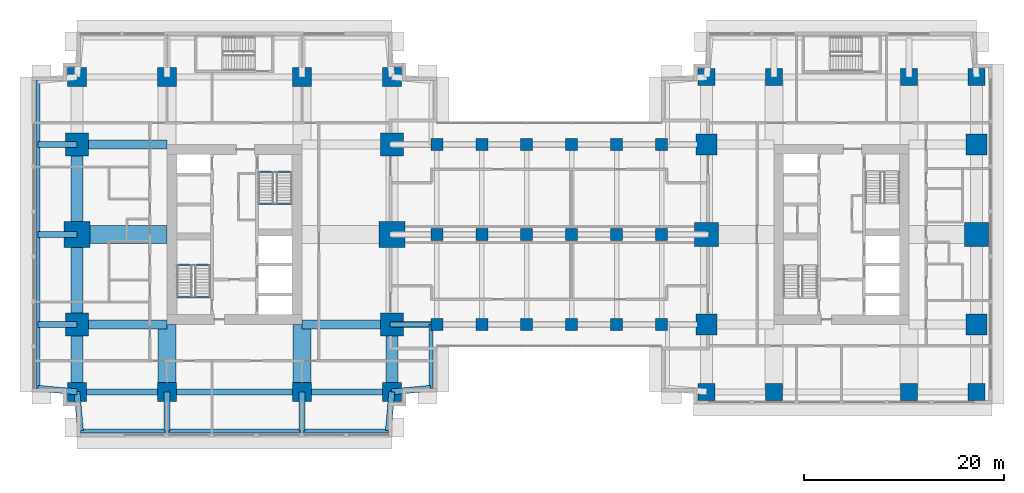
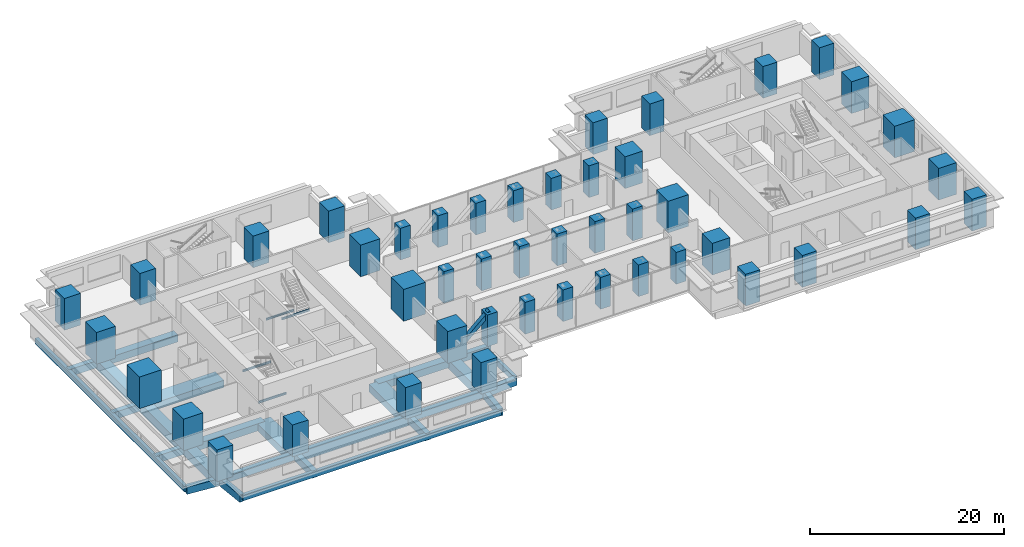
# One storey, part 1 of 16: 46 columns, 30 beams, 1 member.
"""IFC4 building model written with IfcOpenShell, lengths in metres."""

from ifc_helpers import new_model, si_unit, direction, frame, origin, origin_2d, place, context, subcontext, project, spatial, rectangle, hollow_rectangle, i_section, extrude, material, material_profile, profile_set, type_object, element, save


model = new_model("IFC4")

# Units and contexts
model_context = context("Model", 3, precision=1e-05, world=origin(), true_north=direction((0.0, 1.0)))
body_context = subcontext(model_context, "Body", "Model", "MODEL_VIEW")
ifc_project = project(units=[si_unit("LENGTHUNIT", "METRE"), si_unit("AREAUNIT", "SQUARE_METRE"), si_unit("VOLUMEUNIT", "CUBIC_METRE"), si_unit("PLANEANGLEUNIT", "RADIAN"), si_unit("MASSUNIT", "GRAM", prefix="KILO")], contexts=[model_context])

# Site, building, storey
site_placement = place(None, origin())
site = spatial("IfcSite", under=ifc_project, at=site_placement, CompositionType="ELEMENT")
building_placement = place(site_placement, origin())
building = spatial("IfcBuilding", under=site, at=building_placement, Name="Namib Vertical Campus", CompositionType="ELEMENT")
storey_placement = place(building_placement, frame((0.0, 0.0, 129.0)))
storey = spatial("IfcBuildingStorey", under=building, at=storey_placement, Name="L30", CompositionType="ELEMENT", Elevation=129.0)

# Columns
ifc_material_1 = material(Name="Concrete C60/75", Category="concrete")
ifc_material_profile_1 = material_profile(ifc_material_1, rectangle(XDim=1.199951171875, YDim=1.199951171875, at=origin_2d()))
ifc_profile_set_1 = profile_set([ifc_material_profile_1], Name="Concrete C60/75")
column_type_1 = type_object("IfcColumnType", Name="Bridge column RC 1200x1200", PredefinedType="COLUMN", material=ifc_profile_set_1)
for number, where, z_axis, x_axis, name in (
    (1, (40.5, 11.25, 0.0), (0.0, 0.0, 1.0), (1.0, 0.0, 0.0), "Column BC6 L30"),
    (2, (45.0, 11.25, 0.0), (0.0, 0.0, 1.0), (1.0, 0.0, 0.0), "Column BC6 L30"),
    (3, (49.5, 11.25, 0.0), (0.0, 0.0, 1.0), (1.0, 0.0, 0.0), "Column BC6 L30"),
    (4, (54.0, 11.25, 0.0), (0.0, 0.0, 1.0), (1.0, 0.0, 0.0), "Column BC6 L30"),
    (5, (58.5, 11.25, 0.0), (0.0, 0.0, 1.0), (1.0, 0.0, 0.0), "Column BC6 L30"),
    (6, (63.0, 11.25, 0.0), (0.0, 0.0, 1.0), (1.0, 0.0, 0.0), "Column BC6 L30"),
    (7, (40.5, 20.25, 0.0), (0.0, 0.0, 1.0), (1.0, 0.0, 0.0), "Column BC6 L30"),
    (8, (45.0, 20.25, 0.0), (0.0, 0.0, 1.0), (1.0, 0.0, 0.0), "Column BC6 L30"),
    (9, (49.5, 20.25, 0.0), (0.0, 0.0, 1.0), (1.0, 0.0, 0.0), "Column BC6 L30"),
    (10, (54.0, 20.25, 0.0), (0.0, 0.0, 1.0), (1.0, 0.0, 0.0), "Column BC6 L30"),
    (11, (58.5, 20.25, 0.0), (0.0, 0.0, 1.0), (1.0, 0.0, 0.0), "Column BC6 L30"),
    (12, (63.0, 20.25, 0.0), (0.0, 0.0, 1.0), (1.0, 0.0, 0.0), "Column BC6 L30"),
    (13, (40.5, 29.25, 0.0), (0.0, 0.0, 1.0), (1.0, 0.0, 0.0), "Column BC6 L30"),
    (14, (45.0, 29.25, 0.0), (0.0, 0.0, 1.0), (1.0, 0.0, 0.0), "Column BC6 L30"),
    (15, (49.5, 29.25, 0.0), (0.0, 0.0, 1.0), (1.0, 0.0, 0.0), "Column BC6 L30"),
    (16, (54.0, 29.25, 0.0), (0.0, 0.0, 1.0), (1.0, 0.0, 0.0), "Column BC6 L30"),
    (17, (58.5, 29.25, 0.0), (0.0, 0.0, 1.0), (1.0, 0.0, 0.0), "Column BC6 L30"),
    (18, (63.0, 29.25, 0.0), (0.0, 0.0, 1.0), (1.0, 0.0, 0.0), "Column BC6 L30"),
):
    element("IfcColumn", number, at=place(storey_placement, frame(where, z_axis=z_axis, x_axis=x_axis)), inside=storey, type_object=column_type_1, Name=name, PredefinedType="COLUMN", context=body_context, shape_type="SweptSolid", body=[
        extrude(rectangle(XDim=1.199951171875, YDim=1.199951171875, at=origin_2d()), origin(), (0.0, 0.0, 1.0), 4.0),
    ])
ifc_material_2 = material(Name="Concrete C60/75", Category="concrete")
ifc_material_profile_2 = material_profile(ifc_material_2, rectangle(XDim=1.699951171875, YDim=1.699951171875, at=origin_2d()))
ifc_profile_set_2 = profile_set([ifc_material_profile_2], Name="Concrete C60/75")
column_type_2 = type_object("IfcColumnType", Name="Column RC 1700x1700", PredefinedType="COLUMN", material=ifc_profile_set_2)
for number, where, z_axis, x_axis, name in (
    (19, (67.5, 4.5, 0.0), (0.0, 0.0, 1.0), (1.0, 0.0, 0.0), "Column C170 L30"),
    (20, (74.25, 4.5, 0.0), (0.0, 0.0, 1.0), (1.0, 0.0, 0.0), "Column C170 L30"),
    (21, (87.75, 4.5, 0.0), (0.0, 0.0, 1.0), (1.0, 0.0, 0.0), "Column C170 L30"),
    (22, (94.5, 4.5, 0.0), (0.0, 0.0, 1.0), (1.0, 0.0, 0.0), "Column C170 L30"),
    (23, (67.5, 36.0, 0.0), (0.0, 0.0, 1.0), (1.0, 0.0, 0.0), "Column C170 L30"),
    (24, (74.25, 36.0, 0.0), (0.0, 0.0, 1.0), (1.0, 0.0, 0.0), "Column C170 L30"),
    (25, (87.75, 36.0, 0.0), (0.0, 0.0, 1.0), (1.0, 0.0, 0.0), "Column C170 L30"),
    (26, (94.5, 36.0, 0.0), (0.0, 0.0, 1.0), (1.0, 0.0, 0.0), "Column C170 L30"),
):
    element("IfcColumn", number, at=place(storey_placement, frame(where, z_axis=z_axis, x_axis=x_axis)), inside=storey, type_object=column_type_2, Name=name, PredefinedType="COLUMN", context=body_context, shape_type="SweptSolid", body=[
        extrude(rectangle(XDim=1.699951171875, YDim=1.699951171875, at=origin_2d()), origin(), (0.0, 0.0, 1.0), 4.0),
    ])
ifc_material_3 = material(Name="Concrete C60/75", Category="concrete")
ifc_material_profile_3 = material_profile(ifc_material_3, rectangle(XDim=1.89990234375, YDim=1.89990234375, at=origin_2d()))
ifc_profile_set_3 = profile_set([ifc_material_profile_3], Name="Concrete C60/75")
column_type_3 = type_object("IfcColumnType", Name="Column RC 1900x1900", PredefinedType="COLUMN", material=ifc_profile_set_3)
for number, where, z_axis, x_axis, name in (
    (27, (4.5, 4.5, 0.0), (0.0, 0.0, 1.0), (1.0, 0.0, 0.0), "Column C190 L30"),
    (28, (13.5, 4.5, 0.0), (0.0, 0.0, 1.0), (1.0, 0.0, 0.0), "Column C190 L30"),
    (29, (27.0, 4.5, 0.0), (0.0, 0.0, 1.0), (1.0, 0.0, 0.0), "Column C190 L30"),
    (30, (36.0, 4.5, 0.0), (0.0, 0.0, 1.0), (1.0, 0.0, 0.0), "Column C190 L30"),
    (31, (4.5, 36.0, 0.0), (0.0, 0.0, 1.0), (1.0, 0.0, 0.0), "Column C190 L30"),
    (32, (13.5, 36.0, 0.0), (0.0, 0.0, 1.0), (1.0, 0.0, 0.0), "Column C190 L30"),
    (33, (27.0, 36.0, 0.0), (0.0, 0.0, 1.0), (1.0, 0.0, 0.0), "Column C190 L30"),
    (34, (36.0, 36.0, 0.0), (0.0, 0.0, 1.0), (1.0, 0.0, 0.0), "Column C190 L30"),
):
    element("IfcColumn", number, at=place(storey_placement, frame(where, z_axis=z_axis, x_axis=x_axis)), inside=storey, type_object=column_type_3, Name=name, PredefinedType="COLUMN", context=body_context, shape_type="SweptSolid", body=[
        extrude(rectangle(XDim=1.89990234375, YDim=1.89990234375, at=origin_2d()), origin(), (0.0, 0.0, 1.0), 4.0),
    ])
ifc_material_4 = material(Name="Concrete C60/75", Category="concrete")
ifc_material_profile_4 = material_profile(ifc_material_4, rectangle(XDim=2.10009765625, YDim=2.10009765625, at=origin_2d()))
ifc_profile_set_4 = profile_set([ifc_material_profile_4], Name="Concrete C60/75")
column_type_4 = type_object("IfcColumnType", Name="Column RC 2100x2100", PredefinedType="COLUMN", material=ifc_profile_set_4)
for number, where, z_axis, x_axis, name in (
    (35, (67.5, 11.25, 0.0), (0.0, 0.0, 1.0), (1.0, 0.0, 0.0), "Column C210 L30"),
    (36, (94.5, 11.25, 0.0), (0.0, 0.0, 1.0), (1.0, 0.0, 0.0), "Column C210 L30"),
    (37, (67.5, 29.25, 0.0), (0.0, 0.0, 1.0), (1.0, 0.0, 0.0), "Column C210 L30"),
    (38, (94.5, 29.25, 0.0), (0.0, 0.0, 1.0), (1.0, 0.0, 0.0), "Column C210 L30"),
):
    element("IfcColumn", number, at=place(storey_placement, frame(where, z_axis=z_axis, x_axis=x_axis)), inside=storey, type_object=column_type_4, Name=name, PredefinedType="COLUMN", context=body_context, shape_type="SweptSolid", body=[
        extrude(rectangle(XDim=2.10009765625, YDim=2.10009765625, at=origin_2d()), origin(), (0.0, 0.0, 1.0), 4.0),
    ])
ifc_material_5 = material(Name="Concrete C60/75", Category="concrete")
ifc_material_profile_5 = material_profile(ifc_material_5, rectangle(XDim=2.300048828125, YDim=2.300048828125, at=origin_2d()))
ifc_profile_set_5 = profile_set([ifc_material_profile_5], Name="Concrete C60/75")
column_type_5 = type_object("IfcColumnType", Name="Column RC 2300x2300", PredefinedType="COLUMN", material=ifc_profile_set_5)
for number, where, z_axis, x_axis, name in (
    (39, (4.5, 11.25, 0.0), (0.0, 0.0, 1.0), (1.0, 0.0, 0.0), "Column C230 L30"),
    (40, (36.0, 11.25, 0.0), (0.0, 0.0, 1.0), (1.0, 0.0, 0.0), "Column C230 L30"),
    (41, (4.5, 29.25, 0.0), (0.0, 0.0, 1.0), (1.0, 0.0, 0.0), "Column C230 L30"),
    (42, (36.0, 29.25, 0.0), (0.0, 0.0, 1.0), (1.0, 0.0, 0.0), "Column C230 L30"),
):
    element("IfcColumn", number, at=place(storey_placement, frame(where, z_axis=z_axis, x_axis=x_axis)), inside=storey, type_object=column_type_5, Name=name, PredefinedType="COLUMN", context=body_context, shape_type="SweptSolid", body=[
        extrude(rectangle(XDim=2.300048828125, YDim=2.300048828125, at=origin_2d()), origin(), (0.0, 0.0, 1.0), 4.0),
    ])
ifc_material_6 = material(Name="Concrete C60/75", Category="concrete")
ifc_material_profile_6 = material_profile(ifc_material_6, rectangle(XDim=2.39990234375, YDim=2.39990234375, at=origin_2d()))
ifc_profile_set_6 = profile_set([ifc_material_profile_6], Name="Concrete C60/75")
column_type_6 = type_object("IfcColumnType", Name="Column RC 2400x2400", PredefinedType="COLUMN", material=ifc_profile_set_6)
for number, where, z_axis, x_axis, name in (
    (43, (67.5, 20.25, 0.0), (0.0, 0.0, 1.0), (1.0, 0.0, 0.0), "Column C240 L30"),
    (44, (94.5, 20.25, 0.0), (0.0, 0.0, 1.0), (1.0, 0.0, 0.0), "Column C240 L30"),
):
    element("IfcColumn", number, at=place(storey_placement, frame(where, z_axis=z_axis, x_axis=x_axis)), inside=storey, type_object=column_type_6, Name=name, PredefinedType="COLUMN", context=body_context, shape_type="SweptSolid", body=[
        extrude(rectangle(XDim=2.39990234375, YDim=2.39990234375, at=origin_2d()), origin(), (0.0, 0.0, 1.0), 4.0),
    ])
ifc_material_7 = material(Name="Concrete C60/75", Category="concrete")
ifc_material_profile_7 = material_profile(ifc_material_7, rectangle(XDim=2.60009765625, YDim=2.60009765625, at=origin_2d()))
ifc_profile_set_7 = profile_set([ifc_material_profile_7], Name="Concrete C60/75")
column_type_7 = type_object("IfcColumnType", Name="Column RC 2600x2600", PredefinedType="COLUMN", material=ifc_profile_set_7)
for number, where, z_axis, x_axis, name in (
    (45, (4.5, 20.25, 0.0), (0.0, 0.0, 1.0), (1.0, 0.0, 0.0), "Column C260 L30"),
    (46, (36.0, 20.25, 0.0), (0.0, 0.0, 1.0), (1.0, 0.0, 0.0), "Column C260 L30"),
):
    element("IfcColumn", number, at=place(storey_placement, frame(where, z_axis=z_axis, x_axis=x_axis)), inside=storey, type_object=column_type_7, Name=name, PredefinedType="COLUMN", context=body_context, shape_type="SweptSolid", body=[
        extrude(rectangle(XDim=2.60009765625, YDim=2.60009765625, at=origin_2d()), origin(), (0.0, 0.0, 1.0), 4.0),
    ])

# Member
ifc_material_8 = material(Name="Steel S355JR", Category="steel")
ifc_material_profile_8 = material_profile(ifc_material_8, hollow_rectangle(XDim=0.5, YDim=0.5, WallThickness=0.031982421875, at=origin_2d()))
ifc_profile_set_8 = profile_set([ifc_material_profile_8], Name="Steel S355JR")
member_type = type_object("IfcMemberType", Name="Bridge end brace WB 500x500x32", PredefinedType="BRACE", material=ifc_profile_set_8)
member_placement = place(storey_placement, frame((36.0, 11.25, 0.0), z_axis=(0.747409318684, 0.0, 0.66436383883), x_axis=(0.0, 1.0, 0.0)))
element("IfcMember", 47, at=member_placement, inside=storey, type_object=member_type, Name="Bridge brace BX1 L30 T1 bay 1", PredefinedType="BRACE", context=body_context, shape_type="SweptSolid", body=[
    extrude(hollow_rectangle(XDim=0.5, YDim=0.5, WallThickness=0.031982421875, at=origin_2d()), origin(), (0.0, 0.0, 1.0), 6.020751953125),
])

# Beams
ifc_material_9 = material(Name="Steel S355JR", Category="steel")
ifc_material_profile_9 = material_profile(ifc_material_9, hollow_rectangle(XDim=0.60009765625, YDim=0.89990234375, WallThickness=0.050048828125, at=origin_2d()))
ifc_profile_set_9 = profile_set([ifc_material_profile_9], Name="Steel S355JR")
beam_type_1 = type_object("IfcBeamType", Name="Bridge girder WB 900x600x50", PredefinedType="BEAM", material=ifc_profile_set_9)
beam_1_placement = place(storey_placement, frame((36.0, 11.25, -0.699951171875), z_axis=(1.0, 0.0, 0.0), x_axis=(0.0, 1.0, 0.0)))
element("IfcBeam", 48, at=beam_1_placement, inside=storey, type_object=beam_type_1, Name="Bridge girder BG1 L30", PredefinedType="BEAM", context=body_context, shape_type="SweptSolid", body=[
    extrude(hollow_rectangle(XDim=0.60009765625, YDim=0.89990234375, WallThickness=0.050048828125, at=origin_2d()), origin(), (0.0, 0.0, 1.0), 4.5),
])
ifc_material_10 = material(Name="Concrete C40/50", Category="concrete")
ifc_material_profile_10 = material_profile(ifc_material_10, rectangle(XDim=0.60009765625, YDim=0.89990234375, at=origin_2d()))
ifc_profile_set_10 = profile_set([ifc_material_profile_10], Name="Concrete C40/50")
beam_type_2 = type_object("IfcBeamType", Name="Cantilever girder RC 600x900", PredefinedType="BEAM", material=ifc_profile_set_10)
beam_2_placement = place(storey_placement, frame((4.5, 4.5, -0.699951171875), z_axis=(0.089411326146, -0.995994786511, 0.0), x_axis=(0.995994786511, 0.089411326146, 0.0)))
element("IfcBeam", 49, at=beam_2_placement, inside=storey, type_object=beam_type_2, Name="Beam B3 L30", PredefinedType="BEAM", context=body_context, shape_type="SweptSolid", body=[
    extrude(rectangle(XDim=0.60009765625, YDim=0.89990234375, at=origin_2d()), origin(), (0.0, 0.0, 1.0), 3.91552734375),
])
for number, where, z_axis, x_axis, name in (
    (50, (13.5, 4.5, -0.699951171875), (0.0, -1.0, 0.0), (1.0, 0.0, 0.0), "Beam B3 L30"),
    (51, (27.0, 4.5, -0.699951171875), (0.0, -1.0, 0.0), (1.0, 0.0, 0.0), "Beam B3 L30"),
):
    element("IfcBeam", number, at=place(storey_placement, frame(where, z_axis=z_axis, x_axis=x_axis)), inside=storey, type_object=beam_type_2, Name=name, PredefinedType="BEAM", context=body_context, shape_type="SweptSolid", body=[
        extrude(rectangle(XDim=0.60009765625, YDim=0.89990234375, at=origin_2d()), origin(), (0.0, 0.0, 1.0), 3.89990234375),
    ])
for number, where, z_axis, x_axis, name in (
    (52, (36.0, 4.5, -0.699951171875), (-0.089411326146, -0.995994786511, 0.0), (0.995994786511, -0.089411326146, 0.0), "Beam B3 L30"),
    (53, (4.5, 4.5, -0.699951171875), (-0.995994786511, 0.089411326146, 0.0), (-0.089411326146, -0.995994786511, 0.0), "Beam B3 L30"),
):
    element("IfcBeam", number, at=place(storey_placement, frame(where, z_axis=z_axis, x_axis=x_axis)), inside=storey, type_object=beam_type_2, Name=name, PredefinedType="BEAM", context=body_context, shape_type="SweptSolid", body=[
        extrude(rectangle(XDim=0.60009765625, YDim=0.89990234375, at=origin_2d()), origin(), (0.0, 0.0, 1.0), 3.91552734375),
    ])
for number, where, z_axis, x_axis, name in (
    (54, (4.5, 11.25, -0.699951171875), (-1.0, 0.0, 0.0), (0.0, -1.0, 0.0), "Beam B3 L30"),
    (55, (4.5, 20.25, -0.699951171875), (-1.0, 0.0, 0.0), (0.0, -1.0, 0.0), "Beam B3 L30"),
    (56, (4.5, 29.25, -0.699951171875), (-1.0, 0.0, 0.0), (0.0, -1.0, 0.0), "Beam B3 L30"),
):
    element("IfcBeam", number, at=place(storey_placement, frame(where, z_axis=z_axis, x_axis=x_axis)), inside=storey, type_object=beam_type_2, Name=name, PredefinedType="BEAM", context=body_context, shape_type="SweptSolid", body=[
        extrude(rectangle(XDim=0.60009765625, YDim=0.89990234375, at=origin_2d()), origin(), (0.0, 0.0, 1.0), 3.89990234375),
    ])
beam_3_placement = place(storey_placement, frame((36.0, 4.5, -0.699951171875), z_axis=(0.995994786511, 0.089411326146, 0.0), x_axis=(-0.089411326146, 0.995994786511, 0.0)))
element("IfcBeam", 57, at=beam_3_placement, inside=storey, type_object=beam_type_2, Name="Beam B3 L30", PredefinedType="BEAM", context=body_context, shape_type="SweptSolid", body=[
    extrude(rectangle(XDim=0.60009765625, YDim=0.89990234375, at=origin_2d()), origin(), (0.0, 0.0, 1.0), 3.91552734375),
])
ifc_material_11 = material(Name="Concrete C40/50", Category="concrete")
ifc_material_profile_11 = material_profile(ifc_material_11, rectangle(XDim=0.39990234375, YDim=0.699951171875, at=origin_2d()))
ifc_profile_set_11 = profile_set([ifc_material_profile_11], Name="Concrete C40/50")
beam_type_3 = type_object("IfcBeamType", Name="Edge beam RC 400x700", PredefinedType="SPANDREL", material=ifc_profile_set_11)
for number, where, z_axis, x_axis, name in (
    (58, (4.85009765625, 0.60009765625, -0.60009765625), (1.0, 0.0, 0.0), (0.0, 1.0, 0.0), "Beam B4 L30"),
    (59, (0.60009765625, 4.85009765625, -0.60009765625), (0.0, 1.0, 0.0), (-1.0, 0.0, 0.0), "Beam B4 L30"),
):
    element("IfcBeam", number, at=place(storey_placement, frame(where, z_axis=z_axis, x_axis=x_axis)), inside=storey, type_object=beam_type_3, Name=name, PredefinedType="SPANDREL", context=body_context, shape_type="SweptSolid", body=[
        extrude(rectangle(XDim=0.39990234375, YDim=0.699951171875, at=origin_2d()), origin(), (0.0, 0.0, 1.0), 30.7998046875),
    ])
beam_4_placement = place(storey_placement, frame((39.89990234375, 4.85009765625, -0.60009765625), z_axis=(0.0, 1.0, 0.0), x_axis=(-1.0, 0.0, 0.0)))
element("IfcBeam", 60, at=beam_4_placement, inside=storey, type_object=beam_type_3, Name="Beam B4 L30", PredefinedType="SPANDREL", context=body_context, shape_type="SweptSolid", body=[
    extrude(rectangle(XDim=0.39990234375, YDim=0.699951171875, at=origin_2d()), origin(), (0.0, 0.0, 1.0), 6.39990234375),
])
ifc_material_12 = material(Name="Concrete C40/50", Category="concrete")
ifc_material_profile_12 = material_profile(ifc_material_12, rectangle(XDim=0.89990234375, YDim=0.89990234375, at=origin_2d()))
ifc_profile_set_12 = profile_set([ifc_material_profile_12], Name="Concrete C40/50")
beam_type_4 = type_object("IfcBeamType", Name="Face girder RC 900x900", PredefinedType="BEAM", material=ifc_profile_set_12)
for number, where, z_axis, x_axis, name in (
    (61, (4.5, 11.25, -0.699951171875), (1.0, 0.0, 0.0), (0.0, 1.0, 0.0), "Beam B10 L30"),
    (62, (36.0, 11.25, -0.699951171875), (-1.0, 0.0, 0.0), (0.0, -1.0, 0.0), "Beam B10 L30"),
    (63, (4.5, 29.25, -0.699951171875), (1.0, 0.0, 0.0), (0.0, 1.0, 0.0), "Beam B10 L30"),
):
    element("IfcBeam", number, at=place(storey_placement, frame(where, z_axis=z_axis, x_axis=x_axis)), inside=storey, type_object=beam_type_4, Name=name, PredefinedType="BEAM", context=body_context, shape_type="SweptSolid", body=[
        extrude(rectangle(XDim=0.89990234375, YDim=0.89990234375, at=origin_2d()), origin(), (0.0, 0.0, 1.0), 9.0),
    ])
ifc_material_13 = material(Name="Concrete C40/50", Category="concrete")
ifc_material_profile_13 = material_profile(ifc_material_13, rectangle(XDim=1.199951171875, YDim=1.10009765625, at=origin_2d()))
ifc_profile_set_13 = profile_set([ifc_material_profile_13], Name="Concrete C40/50")
beam_type_5 = type_object("IfcBeamType", Name="Face ring beam RC 1200x1100", PredefinedType="BEAM", material=ifc_profile_set_13)
beam_5_placement = place(storey_placement, frame((4.5, 4.5, -0.800048828125), z_axis=(0.0, 1.0, 0.0), x_axis=(-1.0, 0.0, 0.0)))
element("IfcBeam", 64, at=beam_5_placement, inside=storey, type_object=beam_type_5, Name="Beam B11 L30", PredefinedType="BEAM", context=body_context, shape_type="SweptSolid", body=[
    extrude(rectangle(XDim=1.199951171875, YDim=1.10009765625, at=origin_2d()), origin(), (0.0, 0.0, 1.0), 6.75),
])
for number, where, z_axis, x_axis, name in (
    (65, (4.5, 11.25, -0.800048828125), (0.0, 1.0, 0.0), (-1.0, 0.0, 0.0), "Beam B11 L30"),
    (66, (4.5, 20.25, -0.800048828125), (0.0, 1.0, 0.0), (-1.0, 0.0, 0.0), "Beam B11 L30"),
):
    element("IfcBeam", number, at=place(storey_placement, frame(where, z_axis=z_axis, x_axis=x_axis)), inside=storey, type_object=beam_type_5, Name=name, PredefinedType="BEAM", context=body_context, shape_type="SweptSolid", body=[
        extrude(rectangle(XDim=1.199951171875, YDim=1.10009765625, at=origin_2d()), origin(), (0.0, 0.0, 1.0), 9.0),
    ])
beam_6_placement = place(storey_placement, frame((36.0, 4.5, -0.800048828125), z_axis=(0.0, 1.0, 0.0), x_axis=(-1.0, 0.0, 0.0)))
element("IfcBeam", 67, at=beam_6_placement, inside=storey, type_object=beam_type_5, Name="Beam B11 L30", PredefinedType="BEAM", context=body_context, shape_type="SweptSolid", body=[
    extrude(rectangle(XDim=1.199951171875, YDim=1.10009765625, at=origin_2d()), origin(), (0.0, 0.0, 1.0), 6.75),
])
ifc_material_14 = material(Name="Steel S355JR", Category="steel")
ifc_material_profile_14 = material_profile(ifc_material_14, i_section(OverallWidth=0.14599609375, OverallDepth=0.25146484375, WebThickness=0.006103515625, FlangeThickness=0.008544921875, FilletRadius=0.007568359375, at=origin_2d()))
ifc_profile_set_14 = profile_set([ifc_material_profile_14], Name="Steel S355JR")
beam_type_6 = type_object("IfcBeamType", Name="Landing trimmer UB 254x146x31", PredefinedType="BEAM", material=ifc_profile_set_14)
for number, where, z_axis, x_axis, name in (
    (68, (14.5, 13.97705078125, -0.125732421875), (1.0, 0.0, 0.0), (0.0, 1.0, 0.0), "Landing trimmer LT1 A-S1 L30 1"),
    (69, (14.5, 17.203125, 1.874267578125), (1.0, 0.0, 0.0), (0.0, 1.0, 0.0), "Landing trimmer LT1 A-S1 L30 2"),
    (70, (22.64990234375, 26.52294921875, -0.125732421875), (1.0, 0.0, 0.0), (0.0, 1.0, 0.0), "Landing trimmer LT1 A-S2 L30 1"),
    (71, (22.64990234375, 23.296875, 1.874267578125), (1.0, 0.0, 0.0), (0.0, 1.0, 0.0), "Landing trimmer LT1 A-S2 L30 2"),
):
    element("IfcBeam", number, at=place(storey_placement, frame(where, z_axis=z_axis, x_axis=x_axis)), inside=storey, type_object=beam_type_6, Name=name, PredefinedType="BEAM", context=body_context, shape_type="SweptSolid", body=[
        extrude(i_section(OverallWidth=0.14599609375, OverallDepth=0.25146484375, WebThickness=0.006103515625, FlangeThickness=0.008544921875, FilletRadius=0.007568359375, at=origin_2d()), origin(), (0.0, 0.0, 1.0), 3.35009765625),
    ])
ifc_material_15 = material(Name="Concrete C40/50", Category="concrete")
ifc_material_profile_15 = material_profile(ifc_material_15, rectangle(XDim=0.60009765625, YDim=1.199951171875, at=origin_2d()))
ifc_profile_set_15 = profile_set([ifc_material_profile_15], Name="Concrete C40/50")
beam_type_7 = type_object("IfcBeamType", Name="Long-span ring beam RC 600x1200", PredefinedType="BEAM", material=ifc_profile_set_15)
beam_7_placement = place(storey_placement, frame((13.5, 4.5, -0.85009765625), z_axis=(1.0, 0.0, 0.0), x_axis=(0.0, 1.0, 0.0)))
element("IfcBeam", 72, at=beam_7_placement, inside=storey, type_object=beam_type_7, Name="Beam B9 L30", PredefinedType="BEAM", context=body_context, shape_type="SweptSolid", body=[
    extrude(rectangle(XDim=0.60009765625, YDim=1.199951171875, at=origin_2d()), origin(), (0.0, 0.0, 1.0), 13.5),
])
ifc_material_16 = material(Name="Concrete C40/50", Category="concrete")
ifc_material_profile_16 = material_profile(ifc_material_16, rectangle(XDim=1.800048828125, YDim=0.89990234375, at=origin_2d()))
ifc_profile_set_16 = profile_set([ifc_material_profile_16], Name="Concrete C40/50")
beam_type_8 = type_object("IfcBeamType", Name="Outrigger line girder RC 1800x900", PredefinedType="BEAM", material=ifc_profile_set_16)
for number, where, z_axis, x_axis, name in (
    (73, (13.5, 4.5, -0.699951171875), (0.0, 1.0, 0.0), (-1.0, 0.0, 0.0), "Beam B12 L30"),
    (74, (27.0, 4.5, -0.699951171875), (0.0, 1.0, 0.0), (-1.0, 0.0, 0.0), "Beam B12 L30"),
):
    element("IfcBeam", number, at=place(storey_placement, frame(where, z_axis=z_axis, x_axis=x_axis)), inside=storey, type_object=beam_type_8, Name=name, PredefinedType="BEAM", context=body_context, shape_type="SweptSolid", body=[
        extrude(rectangle(XDim=1.800048828125, YDim=0.89990234375, at=origin_2d()), origin(), (0.0, 0.0, 1.0), 6.75),
    ])
beam_8_placement = place(storey_placement, frame((4.5, 20.25, -0.699951171875), z_axis=(1.0, 0.0, 0.0), x_axis=(0.0, 1.0, 0.0)))
element("IfcBeam", 75, at=beam_8_placement, inside=storey, type_object=beam_type_8, Name="Beam B12 L30", PredefinedType="BEAM", context=body_context, shape_type="SweptSolid", body=[
    extrude(rectangle(XDim=1.800048828125, YDim=0.89990234375, at=origin_2d()), origin(), (0.0, 0.0, 1.0), 9.0),
])
ifc_material_17 = material(Name="Concrete C40/50", Category="concrete")
ifc_material_profile_17 = material_profile(ifc_material_17, rectangle(XDim=0.60009765625, YDim=0.800048828125, at=origin_2d()))
ifc_profile_set_17 = profile_set([ifc_material_profile_17], Name="Concrete C40/50")
beam_type_9 = type_object("IfcBeamType", Name="Ring beam RC 600x800", PredefinedType="BEAM", material=ifc_profile_set_17)
for number, where, z_axis, x_axis, name in (
    (76, (4.5, 4.5, -0.64990234375), (1.0, 0.0, 0.0), (0.0, 1.0, 0.0), "Beam B1 L30"),
    (77, (27.0, 4.5, -0.64990234375), (1.0, 0.0, 0.0), (0.0, 1.0, 0.0), "Beam B1 L30"),
):
    element("IfcBeam", number, at=place(storey_placement, frame(where, z_axis=z_axis, x_axis=x_axis)), inside=storey, type_object=beam_type_9, Name=name, PredefinedType="BEAM", context=body_context, shape_type="SweptSolid", body=[
        extrude(rectangle(XDim=0.60009765625, YDim=0.800048828125, at=origin_2d()), origin(), (0.0, 0.0, 1.0), 9.0),
    ])

save(model, "model.ifc")
